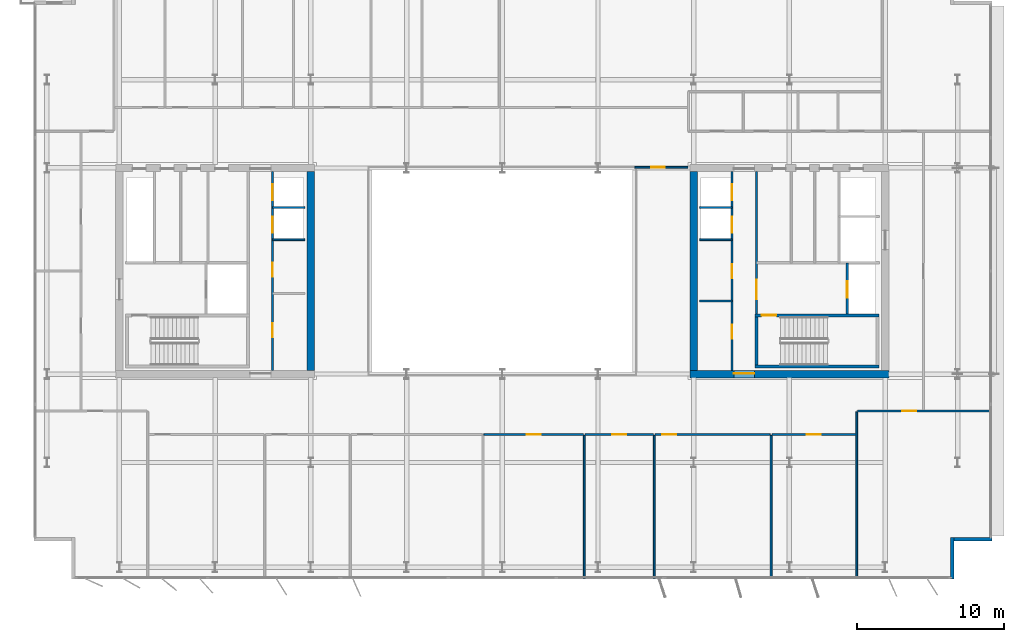
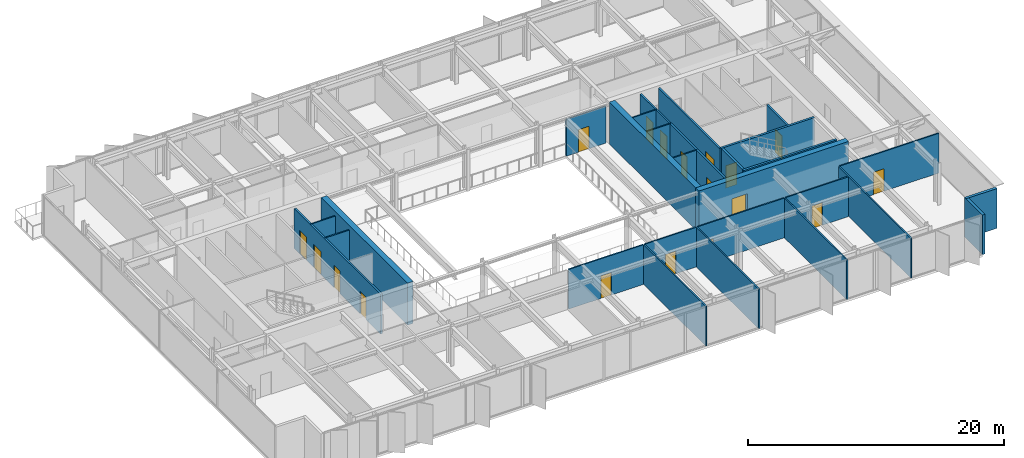
# One storey, part 14 of 21: 27 walls, 18 doors, 18 openings.
"""IFC4 building model written with IfcOpenShell, lengths in metres."""

from ifc_helpers import new_model, si_unit, direction, frame, frame_2d, origin, place, context, subcontext, project, spatial, rectangle, extrude, material, layer, layer_set, type_object, element, fill, save


model = new_model("IFC4")

# Units and contexts
model_context = context("Model", 3, precision=1e-05, world=origin(), true_north=direction((0.0, 1.0)))
body_context = subcontext(model_context, "Body", "Model", "MODEL_VIEW")
ifc_project = project(units=[si_unit("LENGTHUNIT", "METRE"), si_unit("AREAUNIT", "SQUARE_METRE"), si_unit("VOLUMEUNIT", "CUBIC_METRE"), si_unit("PLANEANGLEUNIT", "RADIAN"), si_unit("MASSUNIT", "GRAM", prefix="KILO")], contexts=[model_context])

# Site, building, storey
site_placement = place(None, origin())
site = spatial("IfcSite", under=ifc_project, at=site_placement, CompositionType="ELEMENT")
building_placement = place(site_placement, origin())
building = spatial("IfcBuilding", under=site, at=building_placement, Name="Putna Gate Headquarters", CompositionType="ELEMENT")
storey_placement = place(building_placement, frame((0.0, 0.0, 278.39990234375)))
storey = spatial("IfcBuildingStorey", under=building, at=storey_placement, Name="L70", CompositionType="ELEMENT", Elevation=278.39990234375)

# Wall
ifc_material_1 = material(Name="Concrete C50/60", Category="concrete")
ifc_layer_1 = layer(ifc_material_1, 0.5)
ifc_layer_set_1 = layer_set([ifc_layer_1], Name="Concrete C50/60")
wall_type_1 = type_object("IfcWallType", Name="WALL-CORE-500", PredefinedType="SHEAR", material=ifc_layer_set_1)
wall_1_placement = place(storey_placement, frame((26.0, 19.25, 0.0), z_axis=(0.0, 0.0, 1.0), x_axis=(0.0, 1.0, 0.0)))
element("IfcWall", 1, at=wall_1_placement, inside=storey, type_object=wall_type_1, Name="L70 WC Split Core Shear Wall E", PredefinedType="SHEAR", context=body_context, shape_type="SweptSolid", body=[
    extrude(rectangle(XDim=13.5, YDim=0.5, at=frame_2d((6.75, 0.0))), origin(), (0.0, 0.0, 1.0), 4.0),
])

# Wall, opening, door
wall_2_placement = place(storey_placement, frame((51.75, 19.0, 0.0), z_axis=(0.0, 0.0, 1.0), x_axis=(1.0, 0.0, 0.0)))
wall_2 = element("IfcWall", 2, at=wall_2_placement, inside=storey, type_object=wall_type_1, Name="L70 EC Split Core Shear Wall S", PredefinedType="SHEAR", context=body_context, shape_type="SweptSolid", body=[
    extrude(rectangle(XDim=13.5, YDim=0.5, at=frame_2d((6.75, 0.0))), origin(), (0.0, 0.0, 1.0), 4.0),
])
opening_1_placement = place(wall_2_placement, frame((2.969970703125, 0.0, 0.0)))
opening_1 = element("IfcOpeningElement", 3, at=opening_1_placement, cuts=wall_2, Name="Opening FDD-140", PredefinedType="OPENING", context=body_context, shape_type="SweptSolid", body=[
    extrude(rectangle(XDim=1.39990234375, YDim=2.199951171875, at=frame_2d((0.699951171875, 1.10009765625))), frame((0.0, 0.260009765625, 0.0), z_axis=(0.0, -1.0, 0.0), x_axis=(1.0, 0.0, 0.0)), (0.0, 0.0, 1.0), 0.52001953125),
])
ifc_material_2 = material(Name="Double steel fire door", Category="steel")
door_type_1 = type_object("IfcDoorType", Name="DOOR-FIRE-DBL-1400", OperationType="DOUBLE_DOOR_SINGLE_SWING", PredefinedType="DOOR", material=ifc_material_2)
door_1_placement = place(opening_1_placement, origin())
door_1 = element("IfcDoor", 4, at=door_1_placement, inside=storey, type_object=door_type_1, Name="L70 East Lift Lobby South Door", OperationType="DOUBLE_DOOR_SINGLE_SWING", OverallHeight=2.199951171875, OverallWidth=1.39990234375, PredefinedType="DOOR", context=body_context, shape_type="SweptSolid", body=[
    extrude(rectangle(XDim=1.39990234375, YDim=2.199951171875, at=frame_2d((0.699951171875, 1.10009765625))), frame((0.0, 0.0751953125, 0.0), z_axis=(0.0, -1.0, 0.0), x_axis=(1.0, 0.0, 0.0)), (0.0, 0.0, 1.0), 0.050048828125),
])
fill(opening_1, door_1)

# Walls
wall_3_placement = place(storey_placement, frame((52.0, 19.25, 0.0), z_axis=(0.0, 0.0, 1.0), x_axis=(0.0, 1.0, 0.0)))
element("IfcWall", 5, at=wall_3_placement, inside=storey, type_object=wall_type_1, Name="L70 EC Split Core Shear Wall W", PredefinedType="SHEAR", context=body_context, shape_type="SweptSolid", body=[
    extrude(rectangle(XDim=13.5, YDim=0.5, at=frame_2d((6.75, 0.0))), origin(), (0.0, 0.0, 1.0), 4.0),
])
ifc_material_3 = material(Name="Precast concrete C40/50", Category="concrete")
ifc_layer_2 = layer(ifc_material_3, 0.239990234375)
ifc_layer_set_2 = layer_set([ifc_layer_2], Name="Precast concrete C40/50")
wall_type_2 = type_object("IfcWallType", Name="WALL-EXT-TERR-240", PredefinedType="STANDARD", material=ifc_layer_set_2)
wall_4_placement = place(storey_placement, frame((69.571044921875, 7.89990234375, 0.0), z_axis=(0.0, 0.0, 1.0), x_axis=(0.0, -1.0, 0.0)))
element("IfcWall", 6, at=wall_4_placement, inside=storey, type_object=wall_type_2, Name="L70 Corner Notch Return Wall SE-V", PredefinedType="STANDARD", context=body_context, shape_type="SweptSolid", body=[
    extrude(rectangle(XDim=2.7998046875, YDim=0.239990234375, at=frame_2d((1.39990234375, 0.0))), origin(), (0.0, 0.0, 1.0), 3.7880859375),
])
wall_5_placement = place(storey_placement, frame((72.251220703125, 7.780029296875, 0.0), z_axis=(0.0, 0.0, 1.0), x_axis=(-1.0, 0.0, 0.0)))
element("IfcWall", 7, at=wall_5_placement, inside=storey, type_object=wall_type_2, Name="L70 Corner Notch Return Wall SE-H", PredefinedType="STANDARD", context=body_context, shape_type="SweptSolid", body=[
    extrude(rectangle(XDim=2.800048828125, YDim=0.239990234375, at=frame_2d((1.39990234375, 0.0))), origin(), (0.0, 0.0, 1.0), 3.7880859375),
])

# Wall, opening, door
ifc_material_4 = material(Name="Acoustic gypsum board on metal stud")
ifc_layer_3 = layer(ifc_material_4, 0.1201171875)
ifc_layer_set_3 = layer_set([ifc_layer_3], Name="Acoustic gypsum board on metal stud")
wall_type_3 = type_object("IfcWallType", Name="WALL-PART-120", PredefinedType="PARTITIONING", material=ifc_layer_set_3)
wall_6_placement = place(storey_placement, frame((48.0, 33.0400390625, 0.0), z_axis=(0.0, 0.0, 1.0), x_axis=(1.0, 0.0, 0.0)))
wall_6 = element("IfcWall", 8, at=wall_6_placement, inside=storey, type_object=wall_type_3, Name="L70 Interior Wall PART-L70-ATR-E-N", PredefinedType="PARTITIONING", context=body_context, shape_type="SweptSolid", body=[
    extrude(rectangle(XDim=3.60009765625, YDim=0.1201171875, at=frame_2d((1.800048828125, 0.0))), origin(), (0.0, 0.0, 1.0), 3.528076171875),
])
opening_2_placement = place(wall_6_placement, frame((1.10009765625, 0.0, 0.0)))
opening_2 = element("IfcOpeningElement", 9, at=opening_2_placement, cuts=wall_6, Name="Opening ID-95", PredefinedType="OPENING", context=body_context, shape_type="SweptSolid", body=[
    extrude(rectangle(XDim=0.949951171875, YDim=2.14990234375, at=frame_2d((0.47509765625, 1.074951171875))), frame((0.0, 0.070068359375, 0.0), z_axis=(0.0, -1.0, 0.0), x_axis=(1.0, 0.0, 0.0)), (0.0, 0.0, 1.0), 0.14013671875),
])
ifc_material_5 = material(Name="Veneered acoustic timber door", Category="wood")
door_type_2 = type_object("IfcDoorType", Name="DOOR-OFF-950", OperationType="NOTDEFINED", PredefinedType="DOOR", material=ifc_material_5)
door_2_placement = place(opening_2_placement, origin())
door_2 = element("IfcDoor", 10, at=door_2_placement, inside=storey, type_object=door_type_2, Name="L70 East Sky Atrium Lounge Door", OperationType="SINGLE_SWING_LEFT", OverallHeight=2.14990234375, OverallWidth=0.949951171875, PredefinedType="DOOR", context=body_context, shape_type="SweptSolid", body=[
    extrude(rectangle(XDim=0.949951171875, YDim=2.14990234375, at=frame_2d((0.47509765625, 1.074951171875))), frame((0.0, 0.02490234375, 0.0), z_axis=(0.0, -1.0, 0.0), x_axis=(1.0, 0.0, 0.0)), (0.0, 0.0, 1.0), 0.050048828125),
])
fill(opening_2, door_2)

# Walls
for number, where, z_axis, x_axis, name in (
    (11, (44.564453125, 5.1201171875, 0.0), (0.0, 0.0, 1.0), (0.0, 1.0, 0.0), "L70 Interior Wall PART-L70-SB-DIV-05"),
    (12, (49.312744140625, 5.1201171875, 0.0), (0.0, 0.0, 1.0), (0.0, 1.0, 0.0), "L70 Interior Wall PART-L70-SB-DIV-06"),
    (13, (57.2568359375, 5.1201171875, 0.0), (0.0, 0.0, 1.0), (0.0, 1.0, 0.0), "L70 Interior Wall PART-L70-SB-DIV-07"),
):
    element("IfcWall", number, at=place(storey_placement, frame(where, z_axis=z_axis, x_axis=x_axis)), inside=storey, type_object=wall_type_3, Name=name, PredefinedType="PARTITIONING", context=body_context, shape_type="SweptSolid", body=[
        extrude(rectangle(XDim=9.719970703125, YDim=0.1201171875, at=frame_2d((4.85986328125, 0.0))), origin(), (0.0, 0.0, 1.0), 3.7880859375),
    ])
wall_7_placement = place(storey_placement, frame((63.066162109375, 5.1201171875, 0.0), z_axis=(0.0, 0.0, 1.0), x_axis=(0.0, 1.0, 0.0)))
element("IfcWall", 14, at=wall_7_placement, inside=storey, type_object=wall_type_3, Name="L70 Interior Wall PART-L70-SB-DIV-08", PredefinedType="PARTITIONING", context=body_context, shape_type="SweptSolid", body=[
    extrude(rectangle(XDim=11.31982421875, YDim=0.1201171875, at=frame_2d((5.659912109375, 0.0))), origin(), (0.0, 0.0, 1.0), 3.7880859375),
])
ifc_material_6 = material(Name="Fire-rated shaftwall gypsum board on metal stud")
ifc_layer_4 = layer(ifc_material_6, 0.1201171875)
ifc_layer_set_4 = layer_set([ifc_layer_4], Name="Fire-rated shaftwall gypsum board on metal stud")
wall_type_4 = type_object("IfcWallType", Name="WALL-PART-120-EI120", PredefinedType="PARTITIONING", material=ifc_layer_set_4)
for number, where, z_axis, x_axis, name in (
    (15, (23.39990234375, 30.31005859375, 0.0), (0.0, 0.0, 1.0), (1.0, 0.0, 0.0), "L70 Interior Wall CWINT-L70-WC-LF09-DIV"),
    (16, (52.39990234375, 30.31005859375, 0.0), (0.0, 0.0, 1.0), (1.0, 0.0, 0.0), "L70 Interior Wall CWINT-L70-EC-LF11-DIV"),
):
    element("IfcWall", number, at=place(storey_placement, frame(where, z_axis=z_axis, x_axis=x_axis)), inside=storey, type_object=wall_type_4, Name=name, PredefinedType="PARTITIONING", context=body_context, shape_type="SweptSolid", body=[
        extrude(rectangle(XDim=2.2001953125, YDim=0.1201171875, at=frame_2d((1.10009765625, 0.0))), origin(), (0.0, 0.0, 1.0), 3.7880859375),
    ])
ifc_material_7 = material(Name="Fire-rated gypsum board on metal stud")
ifc_layer_5 = layer(ifc_material_7, 0.1201171875)
ifc_layer_set_5 = layer_set([ifc_layer_5], Name="Fire-rated gypsum board on metal stud")
wall_type_5 = type_object("IfcWallType", Name="WALL-PART-120-RATED", PredefinedType="PARTITIONING", material=ifc_layer_set_5)
for number, where, z_axis, x_axis, name in (
    (17, (23.39990234375, 28.1201171875, 0.0), (0.0, 0.0, 1.0), (1.0, 0.0, 0.0), "L70 Interior Wall CWINT-L70-WC-LF06-DIV"),
    (18, (52.39990234375, 23.969970703125, 0.0), (0.0, 0.0, 1.0), (1.0, 0.0, 0.0), "L70 Interior Wall CWINT-L70-EC-REUSE-DIV"),
    (19, (52.39990234375, 28.1201171875, 0.0), (0.0, 0.0, 1.0), (1.0, 0.0, 0.0), "L70 Interior Wall CWINT-L70-EC-LF08-DIV"),
):
    element("IfcWall", number, at=place(storey_placement, frame(where, z_axis=z_axis, x_axis=x_axis)), inside=storey, type_object=wall_type_5, Name=name, PredefinedType="PARTITIONING", context=body_context, shape_type="SweptSolid", body=[
        extrude(rectangle(XDim=2.2001953125, YDim=0.1201171875, at=frame_2d((1.10009765625, 0.0))), origin(), (0.0, 0.0, 1.0), 3.7880859375),
    ])

# Wall, opening, door
wall_8_placement = place(storey_placement, frame((37.747802734375, 14.89990234375, 0.0), z_axis=(0.0, 0.0, 1.0), x_axis=(1.0, 0.0, 0.0)))
wall_8 = element("IfcWall", 20, at=wall_8_placement, inside=storey, type_object=wall_type_5, Name="L70 Interior Wall PART-L70-SB-CW-05", PredefinedType="PARTITIONING", context=body_context, shape_type="SweptSolid", body=[
    extrude(rectangle(XDim=6.756591796875, YDim=0.1201171875, at=frame_2d((3.37841796875, 0.0))), origin(), (0.0, 0.0, 1.0), 3.7880859375),
])
opening_3_placement = place(wall_8_placement, frame((2.9033203125, 0.0, 0.0)))
opening_3 = element("IfcOpeningElement", 21, at=opening_3_placement, cuts=wall_8, Name="Opening FD-95", PredefinedType="OPENING", context=body_context, shape_type="SweptSolid", body=[
    extrude(rectangle(XDim=0.949951171875, YDim=2.14990234375, at=frame_2d((0.47509765625, 1.074951171875))), frame((0.0, 0.070068359375, 0.0), z_axis=(0.0, -1.0, 0.0), x_axis=(1.0, 0.0, 0.0)), (0.0, 0.0, 1.0), 0.14013671875),
])
ifc_material_8 = material(Name="Acoustic timber fire door", Category="wood")
door_type_3 = type_object("IfcDoorType", Name="DOOR-FIRE-950", OperationType="NOTDEFINED", PredefinedType="DOOR", material=ifc_material_8)
door_3_placement = place(opening_3_placement, origin())
door_3 = element("IfcDoor", 22, at=door_3_placement, inside=storey, type_object=door_type_3, Name="L70 Conference Meeting Room 5 Door", OperationType="SINGLE_SWING_LEFT", OverallHeight=2.14990234375, OverallWidth=0.949951171875, PredefinedType="DOOR", context=body_context, shape_type="SweptSolid", body=[
    extrude(rectangle(XDim=0.949951171875, YDim=2.14990234375, at=frame_2d((0.47509765625, 1.074951171875))), frame((0.0, 0.02490234375, 0.0), z_axis=(0.0, -1.0, 0.0), x_axis=(1.0, 0.0, 0.0)), (0.0, 0.0, 1.0), 0.050048828125),
])
fill(opening_3, door_3)

wall_9_placement = place(storey_placement, frame((44.62451171875, 14.89990234375, 0.0), z_axis=(0.0, 0.0, 1.0), x_axis=(1.0, 0.0, 0.0)))
wall_9 = element("IfcWall", 23, at=wall_9_placement, inside=storey, type_object=wall_type_5, Name="L70 Interior Wall PART-L70-SB-CW-06", PredefinedType="PARTITIONING", context=body_context, shape_type="SweptSolid", body=[
    extrude(rectangle(XDim=4.628173828125, YDim=0.1201171875, at=frame_2d((2.31396484375, 0.0))), origin(), (0.0, 0.0, 1.0), 3.7880859375),
])
opening_4_placement = place(wall_9_placement, frame((1.839111328125, 0.0, 0.0)))
opening_4 = element("IfcOpeningElement", 24, at=opening_4_placement, cuts=wall_9, Name="Opening FD-95", PredefinedType="OPENING", context=body_context, shape_type="SweptSolid", body=[
    extrude(rectangle(XDim=0.949951171875, YDim=2.14990234375, at=frame_2d((0.47509765625, 1.074951171875))), frame((0.0, 0.070068359375, 0.0), z_axis=(0.0, -1.0, 0.0), x_axis=(1.0, 0.0, 0.0)), (0.0, 0.0, 1.0), 0.14013671875),
])
door_4_placement = place(opening_4_placement, origin())
door_4 = element("IfcDoor", 25, at=door_4_placement, inside=storey, type_object=door_type_3, Name="L70 Conference Meeting Room 6 Door", OperationType="SINGLE_SWING_RIGHT", OverallHeight=2.14990234375, OverallWidth=0.949951171875, PredefinedType="DOOR", context=body_context, shape_type="SweptSolid", body=[
    extrude(rectangle(XDim=0.949951171875, YDim=2.14990234375, at=frame_2d((0.47509765625, 1.074951171875))), frame((0.0, 0.02490234375, 0.0), z_axis=(0.0, -1.0, 0.0), x_axis=(1.0, 0.0, 0.0)), (0.0, 0.0, 1.0), 0.050048828125),
])
fill(opening_4, door_4)

wall_10_placement = place(storey_placement, frame((49.372802734375, 14.89990234375, 0.0), z_axis=(0.0, 0.0, 1.0), x_axis=(1.0, 0.0, 0.0)))
wall_10 = element("IfcWall", 26, at=wall_10_placement, inside=storey, type_object=wall_type_5, Name="L70 Interior Wall PART-L70-SB-CW-07", PredefinedType="PARTITIONING", context=body_context, shape_type="SweptSolid", body=[
    extrude(rectangle(XDim=7.823974609375, YDim=0.1201171875, at=frame_2d((3.912109375, 0.0))), origin(), (0.0, 0.0, 1.0), 3.7880859375),
])
opening_5_placement = place(wall_10_placement, frame((0.47998046875, 0.0, 0.0)))
opening_5 = element("IfcOpeningElement", 27, at=opening_5_placement, cuts=wall_10, Name="Opening FD-95", PredefinedType="OPENING", context=body_context, shape_type="SweptSolid", body=[
    extrude(rectangle(XDim=0.949951171875, YDim=2.14990234375, at=frame_2d((0.47509765625, 1.074951171875))), frame((0.0, 0.070068359375, 0.0), z_axis=(0.0, -1.0, 0.0), x_axis=(1.0, 0.0, 0.0)), (0.0, 0.0, 1.0), 0.14013671875),
])
door_5_placement = place(opening_5_placement, origin())
door_5 = element("IfcDoor", 28, at=door_5_placement, inside=storey, type_object=door_type_3, Name="L70 Collaborative Breakout Lounge 1 Door", OperationType="SINGLE_SWING_LEFT", OverallHeight=2.14990234375, OverallWidth=0.949951171875, PredefinedType="DOOR", context=body_context, shape_type="SweptSolid", body=[
    extrude(rectangle(XDim=0.949951171875, YDim=2.14990234375, at=frame_2d((0.47509765625, 1.074951171875))), frame((0.0, 0.02490234375, 0.0), z_axis=(0.0, -1.0, 0.0), x_axis=(1.0, 0.0, 0.0)), (0.0, 0.0, 1.0), 0.050048828125),
])
fill(opening_5, door_5)

wall_11_placement = place(storey_placement, frame((57.31689453125, 14.89990234375, 0.0), z_axis=(0.0, 0.0, 1.0), x_axis=(1.0, 0.0, 0.0)))
wall_11 = element("IfcWall", 29, at=wall_11_placement, inside=storey, type_object=wall_type_5, Name="L70 Interior Wall PART-L70-SB-CW-08", PredefinedType="PARTITIONING", context=body_context, shape_type="SweptSolid", body=[
    extrude(rectangle(XDim=5.689208984375, YDim=0.1201171875, at=frame_2d((2.8447265625, 0.0))), origin(), (0.0, 0.0, 1.0), 3.7880859375),
])
opening_6_placement = place(wall_11_placement, frame((2.36962890625, 0.0, 0.0)))
opening_6 = element("IfcOpeningElement", 30, at=opening_6_placement, cuts=wall_11, Name="Opening FD-95", PredefinedType="OPENING", context=body_context, shape_type="SweptSolid", body=[
    extrude(rectangle(XDim=0.949951171875, YDim=2.14990234375, at=frame_2d((0.47509765625, 1.074951171875))), frame((0.0, 0.070068359375, 0.0), z_axis=(0.0, -1.0, 0.0), x_axis=(1.0, 0.0, 0.0)), (0.0, 0.0, 1.0), 0.14013671875),
])
door_6_placement = place(opening_6_placement, origin())
door_6 = element("IfcDoor", 31, at=door_6_placement, inside=storey, type_object=door_type_3, Name="L70 Collaborative Breakout Lounge 2 Door", OperationType="SINGLE_SWING_RIGHT", OverallHeight=2.14990234375, OverallWidth=0.949951171875, PredefinedType="DOOR", context=body_context, shape_type="SweptSolid", body=[
    extrude(rectangle(XDim=0.949951171875, YDim=2.14990234375, at=frame_2d((0.47509765625, 1.074951171875))), frame((0.0, 0.02490234375, 0.0), z_axis=(0.0, -1.0, 0.0), x_axis=(1.0, 0.0, 0.0)), (0.0, 0.0, 1.0), 0.050048828125),
])
fill(opening_6, door_6)

wall_12_placement = place(storey_placement, frame((63.126220703125, 16.5, 0.0), z_axis=(0.0, 0.0, 1.0), x_axis=(1.0, 0.0, 0.0)))
wall_12 = element("IfcWall", 32, at=wall_12_placement, inside=storey, type_object=wall_type_5, Name="L70 Interior Wall PART-L70-SB-CW-09", PredefinedType="PARTITIONING", context=body_context, shape_type="SweptSolid", body=[
    extrude(rectangle(XDim=8.94482421875, YDim=0.1201171875, at=frame_2d((4.472412109375, 0.0))), origin(), (0.0, 0.0, 1.0), 3.7880859375),
])
opening_7_placement = place(wall_12_placement, frame((3.0439453125, 0.0, 0.0)))
opening_7 = element("IfcOpeningElement", 33, at=opening_7_placement, cuts=wall_12, Name="Opening FD-95", PredefinedType="OPENING", context=body_context, shape_type="SweptSolid", body=[
    extrude(rectangle(XDim=0.949951171875, YDim=2.14990234375, at=frame_2d((0.47509765625, 1.074951171875))), frame((0.0, 0.070068359375, 0.0), z_axis=(0.0, -1.0, 0.0), x_axis=(1.0, 0.0, 0.0)), (0.0, 0.0, 1.0), 0.14013671875),
])
door_7_placement = place(opening_7_placement, origin())
door_7 = element("IfcDoor", 34, at=door_7_placement, inside=storey, type_object=door_type_3, Name="L70 Cellular Office 2 Door", OperationType="SINGLE_SWING_LEFT", OverallHeight=2.14990234375, OverallWidth=0.949951171875, PredefinedType="DOOR", context=body_context, shape_type="SweptSolid", body=[
    extrude(rectangle(XDim=0.949951171875, YDim=2.14990234375, at=frame_2d((0.47509765625, 1.074951171875))), frame((0.0, 0.02490234375, 0.0), z_axis=(0.0, -1.0, 0.0), x_axis=(1.0, 0.0, 0.0)), (0.0, 0.0, 1.0), 0.050048828125),
])
fill(opening_7, door_7)

# Wall, openings, doors
ifc_material_9 = material(Name="Concrete C40/50", Category="concrete")
ifc_layer_6 = layer(ifc_material_9, 0.159912109375)
ifc_layer_set_6 = layer_set([ifc_layer_6], Name="Concrete C40/50")
wall_type_6 = type_object("IfcWallType", Name="WALL-SHAFT-160", PredefinedType="STANDARD", material=ifc_layer_set_6)
wall_13_placement = place(storey_placement, frame((23.39990234375, 19.25, 0.0), z_axis=(0.0, 0.0, 1.0), x_axis=(0.0, 1.0, 0.0)))
wall_13 = element("IfcWall", 35, at=wall_13_placement, inside=storey, type_object=wall_type_6, Name="L70 Interior Wall CWINT-L70-WC-PL-WALL", PredefinedType="STANDARD", context=body_context, shape_type="SweptSolid", body=[
    extrude(rectangle(XDim=13.5, YDim=0.159912109375, at=frame_2d((6.75, 0.0))), origin(), (0.0, 0.0, 1.0), 3.7880859375),
])
opening_8_placement = place(wall_13_placement, frame((2.25, 0.0, 0.0)))
opening_8 = element("IfcOpeningElement", 36, at=opening_8_placement, cuts=wall_13, Name="Opening IDS-95", PredefinedType="OPENING", context=body_context, shape_type="SweptSolid", body=[
    extrude(rectangle(XDim=0.949951171875, YDim=2.14990234375, at=frame_2d((0.47509765625, 1.074951171875))), frame((0.0, 0.08984375, 0.0), z_axis=(0.0, -1.0, 0.0), x_axis=(1.0, 0.0, 0.0)), (0.0, 0.0, 1.0), 0.179931640625),
])
opening_9_placement = place(wall_13_placement, frame((6.35009765625, 0.0, 0.0)))
opening_9 = element("IfcOpeningElement", 37, at=opening_9_placement, cuts=wall_13, Name="Opening IDS-95", PredefinedType="OPENING", context=body_context, shape_type="SweptSolid", body=[
    extrude(rectangle(XDim=0.949951171875, YDim=2.14990234375, at=frame_2d((0.47509765625, 1.074951171875))), frame((0.0, 0.08984375, 0.0), z_axis=(0.0, -1.0, 0.0), x_axis=(1.0, 0.0, 0.0)), (0.0, 0.0, 1.0), 0.179931640625),
])
opening_10_placement = place(wall_13_placement, frame((9.35009765625, 0.0, 0.0)))
opening_10 = element("IfcOpeningElement", 38, at=opening_10_placement, cuts=wall_13, Name="Opening LD-1", PredefinedType="OPENING", context=body_context, shape_type="SweptSolid", body=[
    extrude(rectangle(XDim=1.10009765625, YDim=2.199951171875, at=frame_2d((0.550048828125, 1.10009765625))), frame((0.0, 0.08984375, 0.0), z_axis=(0.0, -1.0, 0.0), x_axis=(1.0, 0.0, 0.0)), (0.0, 0.0, 1.0), 0.179931640625),
])
opening_11_placement = place(wall_13_placement, frame((11.550048828125, 0.0, 0.0)))
opening_11 = element("IfcOpeningElement", 39, at=opening_11_placement, cuts=wall_13, Name="Opening LD-1", PredefinedType="OPENING", context=body_context, shape_type="SweptSolid", body=[
    extrude(rectangle(XDim=1.10009765625, YDim=2.199951171875, at=frame_2d((0.550048828125, 1.10009765625))), frame((0.0, 0.08984375, 0.0), z_axis=(0.0, -1.0, 0.0), x_axis=(1.0, 0.0, 0.0)), (0.0, 0.0, 1.0), 0.179931640625),
])
ifc_material_10 = material(Name="Fire-rated service timber door", Category="wood")
door_type_4 = type_object("IfcDoorType", Name="DOOR-INT-950", OperationType="NOTDEFINED", PredefinedType="DOOR", material=ifc_material_10)
door_8_placement = place(opening_8_placement, origin())
door_8 = element("IfcDoor", 40, at=door_8_placement, inside=storey, type_object=door_type_4, Name="L70 Tenant IT Hub Door", OperationType="SINGLE_SWING_LEFT", OverallHeight=2.14990234375, OverallWidth=0.949951171875, PredefinedType="DOOR", context=body_context, shape_type="SweptSolid", body=[
    extrude(rectangle(XDim=0.949951171875, YDim=2.14990234375, at=frame_2d((0.47509765625, 1.074951171875))), frame((0.0, 0.02490234375, 0.0), z_axis=(0.0, -1.0, 0.0), x_axis=(1.0, 0.0, 0.0)), (0.0, 0.0, 1.0), 0.050048828125),
])
fill(opening_8, door_8)
door_9_placement = place(opening_9_placement, origin())
door_9 = element("IfcDoor", 41, at=door_9_placement, inside=storey, type_object=door_type_4, Name="L70 Records Vault Door", OperationType="SINGLE_SWING_RIGHT", OverallHeight=2.14990234375, OverallWidth=0.949951171875, PredefinedType="DOOR", context=body_context, shape_type="SweptSolid", body=[
    extrude(rectangle(XDim=0.949951171875, YDim=2.14990234375, at=frame_2d((0.47509765625, 1.074951171875))), frame((0.0, 0.02490234375, 0.0), z_axis=(0.0, -1.0, 0.0), x_axis=(1.0, 0.0, 0.0)), (0.0, 0.0, 1.0), 0.050048828125),
])
fill(opening_9, door_9)
ifc_material_11 = material(Name="Brushed bronze stainless lift landing door")
door_type_5 = type_object("IfcDoorType", Name="DOOR-LIFT-1100", OperationType="DOUBLE_DOOR_SLIDING", PredefinedType="DOOR", material=ifc_material_11)
door_10_placement = place(opening_10_placement, origin())
door_10 = element("IfcDoor", 42, at=door_10_placement, inside=storey, type_object=door_type_5, Name="L70 Lift Landing Door LD-09", OperationType="DOUBLE_DOOR_SLIDING", OverallHeight=2.199951171875, OverallWidth=1.10009765625, PredefinedType="DOOR", context=body_context, shape_type="SweptSolid", body=[
    extrude(rectangle(XDim=1.10009765625, YDim=2.199951171875, at=frame_2d((0.550048828125, 1.10009765625))), frame((0.0, 0.02490234375, 0.0), z_axis=(0.0, -1.0, 0.0), x_axis=(1.0, 0.0, 0.0)), (0.0, 0.0, 1.0), 0.050048828125),
])
fill(opening_10, door_10)
door_11_placement = place(opening_11_placement, origin())
door_11 = element("IfcDoor", 43, at=door_11_placement, inside=storey, type_object=door_type_5, Name="L70 Lift Landing Door LD-10", OperationType="DOUBLE_DOOR_SLIDING", OverallHeight=2.199951171875, OverallWidth=1.10009765625, PredefinedType="DOOR", context=body_context, shape_type="SweptSolid", body=[
    extrude(rectangle(XDim=1.10009765625, YDim=2.199951171875, at=frame_2d((0.550048828125, 1.10009765625))), frame((0.0, 0.02490234375, 0.0), z_axis=(0.0, -1.0, 0.0), x_axis=(1.0, 0.0, 0.0)), (0.0, 0.0, 1.0), 0.050048828125),
])
fill(opening_11, door_11)

wall_14_placement = place(storey_placement, frame((54.60009765625, 19.25, 0.0), z_axis=(0.0, 0.0, 1.0), x_axis=(0.0, 1.0, 0.0)))
wall_14 = element("IfcWall", 44, at=wall_14_placement, inside=storey, type_object=wall_type_6, Name="L70 Interior Wall CWINT-L70-EC-PL-WALL", PredefinedType="STANDARD", context=body_context, shape_type="SweptSolid", body=[
    extrude(rectangle(XDim=13.5, YDim=0.159912109375, at=frame_2d((6.75, 0.0))), origin(), (0.0, 0.0, 1.0), 3.7880859375),
])
opening_12_placement = place(wall_14_placement, frame((2.14990234375, 0.0, 0.0)))
opening_12 = element("IfcOpeningElement", 45, at=opening_12_placement, cuts=wall_14, Name="Opening IDS-95", PredefinedType="OPENING", context=body_context, shape_type="SweptSolid", body=[
    extrude(rectangle(XDim=0.949951171875, YDim=2.14990234375, at=frame_2d((0.47509765625, 1.074951171875))), frame((0.0, 0.08984375, 0.0), z_axis=(0.0, -1.0, 0.0), x_axis=(1.0, 0.0, 0.0)), (0.0, 0.0, 1.0), 0.179931640625),
])
opening_13_placement = place(wall_14_placement, frame((6.25, 0.0, 0.0)))
opening_13 = element("IfcOpeningElement", 46, at=opening_13_placement, cuts=wall_14, Name="Opening IDS-95", PredefinedType="OPENING", context=body_context, shape_type="SweptSolid", body=[
    extrude(rectangle(XDim=0.949951171875, YDim=2.14990234375, at=frame_2d((0.47509765625, 1.074951171875))), frame((0.0, 0.08984375, 0.0), z_axis=(0.0, -1.0, 0.0), x_axis=(1.0, 0.0, 0.0)), (0.0, 0.0, 1.0), 0.179931640625),
])
opening_14_placement = place(wall_14_placement, frame((9.35009765625, 0.0, 0.0)))
opening_14 = element("IfcOpeningElement", 47, at=opening_14_placement, cuts=wall_14, Name="Opening LD-1", PredefinedType="OPENING", context=body_context, shape_type="SweptSolid", body=[
    extrude(rectangle(XDim=1.10009765625, YDim=2.199951171875, at=frame_2d((0.550048828125, 1.10009765625))), frame((0.0, 0.08984375, 0.0), z_axis=(0.0, -1.0, 0.0), x_axis=(1.0, 0.0, 0.0)), (0.0, 0.0, 1.0), 0.179931640625),
])
opening_15_placement = place(wall_14_placement, frame((11.550048828125, 0.0, 0.0)))
opening_15 = element("IfcOpeningElement", 48, at=opening_15_placement, cuts=wall_14, Name="Opening LD-1", PredefinedType="OPENING", context=body_context, shape_type="SweptSolid", body=[
    extrude(rectangle(XDim=1.10009765625, YDim=2.199951171875, at=frame_2d((0.550048828125, 1.10009765625))), frame((0.0, 0.08984375, 0.0), z_axis=(0.0, -1.0, 0.0), x_axis=(1.0, 0.0, 0.0)), (0.0, 0.0, 1.0), 0.179931640625),
])
door_12_placement = place(opening_12_placement, origin())
door_12 = element("IfcDoor", 49, at=door_12_placement, inside=storey, type_object=door_type_4, Name="L70 Executive Archive Door", OperationType="SINGLE_SWING_RIGHT", OverallHeight=2.14990234375, OverallWidth=0.949951171875, PredefinedType="DOOR", context=body_context, shape_type="SweptSolid", body=[
    extrude(rectangle(XDim=0.949951171875, YDim=2.14990234375, at=frame_2d((0.47509765625, 1.074951171875))), frame((0.0, 0.02490234375, 0.0), z_axis=(0.0, -1.0, 0.0), x_axis=(1.0, 0.0, 0.0)), (0.0, 0.0, 1.0), 0.050048828125),
])
fill(opening_12, door_12)
door_13_placement = place(opening_13_placement, origin())
door_13 = element("IfcDoor", 50, at=door_13_placement, inside=storey, type_object=door_type_4, Name="L70 Comms Distribution Door", OperationType="SINGLE_SWING_LEFT", OverallHeight=2.14990234375, OverallWidth=0.949951171875, PredefinedType="DOOR", context=body_context, shape_type="SweptSolid", body=[
    extrude(rectangle(XDim=0.949951171875, YDim=2.14990234375, at=frame_2d((0.47509765625, 1.074951171875))), frame((0.0, 0.02490234375, 0.0), z_axis=(0.0, -1.0, 0.0), x_axis=(1.0, 0.0, 0.0)), (0.0, 0.0, 1.0), 0.050048828125),
])
fill(opening_13, door_13)
door_14_placement = place(opening_14_placement, origin())
door_14 = element("IfcDoor", 51, at=door_14_placement, inside=storey, type_object=door_type_5, Name="L70 Lift Landing Door LD-11", OperationType="DOUBLE_DOOR_SLIDING", OverallHeight=2.199951171875, OverallWidth=1.10009765625, PredefinedType="DOOR", context=body_context, shape_type="SweptSolid", body=[
    extrude(rectangle(XDim=1.10009765625, YDim=2.199951171875, at=frame_2d((0.550048828125, 1.10009765625))), frame((0.0, 0.02490234375, 0.0), z_axis=(0.0, -1.0, 0.0), x_axis=(1.0, 0.0, 0.0)), (0.0, 0.0, 1.0), 0.050048828125),
])
fill(opening_14, door_14)
door_15_placement = place(opening_15_placement, origin())
door_15 = element("IfcDoor", 52, at=door_15_placement, inside=storey, type_object=door_type_5, Name="L70 Lift Landing Door LD-12", OperationType="DOUBLE_DOOR_SLIDING", OverallHeight=2.199951171875, OverallWidth=1.10009765625, PredefinedType="DOOR", context=body_context, shape_type="SweptSolid", body=[
    extrude(rectangle(XDim=1.10009765625, YDim=2.199951171875, at=frame_2d((0.550048828125, 1.10009765625))), frame((0.0, 0.02490234375, 0.0), z_axis=(0.0, -1.0, 0.0), x_axis=(1.0, 0.0, 0.0)), (0.0, 0.0, 1.0), 0.050048828125),
])
fill(opening_15, door_15)

# Wall, opening, door
wall_15_placement = place(storey_placement, frame((56.260009765625, 23.090087890625, 0.0), z_axis=(0.0, 0.0, 1.0), x_axis=(0.0, 1.0, 0.0)))
wall_15 = element("IfcWall", 53, at=wall_15_placement, inside=storey, type_object=wall_type_6, Name="L70 Interior Wall CWINT-L70-EC-LOB-E", PredefinedType="STANDARD", context=body_context, shape_type="SweptSolid", body=[
    extrude(rectangle(XDim=9.659912109375, YDim=0.159912109375, at=frame_2d((4.830078125, 0.0))), origin(), (0.0, 0.0, 1.0), 3.7880859375),
])
opening_16_placement = place(wall_15_placement, frame((1.010009765625, 0.0, 0.0)))
opening_16 = element("IfcOpeningElement", 54, at=opening_16_placement, cuts=wall_15, Name="Opening FDD-130", PredefinedType="OPENING", context=body_context, shape_type="SweptSolid", body=[
    extrude(rectangle(XDim=1.300048828125, YDim=2.199951171875, at=frame_2d((0.64990234375, 1.10009765625))), frame((0.0, 0.08984375, 0.0), z_axis=(0.0, -1.0, 0.0), x_axis=(1.0, 0.0, 0.0)), (0.0, 0.0, 1.0), 0.179931640625),
])
ifc_material_12 = material(Name="Double steel lobby fire door", Category="steel")
door_type_6 = type_object("IfcDoorType", Name="DOOR-FIRE-DBL-1300", OperationType="DOUBLE_DOOR_SINGLE_SWING", PredefinedType="DOOR", material=ifc_material_12)
door_16_placement = place(opening_16_placement, origin())
door_16 = element("IfcDoor", 55, at=door_16_placement, inside=storey, type_object=door_type_6, Name="L70 East Firefighting Lobby Door", OperationType="DOUBLE_DOOR_SINGLE_SWING", OverallHeight=2.199951171875, OverallWidth=1.300048828125, PredefinedType="DOOR", context=body_context, shape_type="SweptSolid", body=[
    extrude(rectangle(XDim=1.300048828125, YDim=2.199951171875, at=frame_2d((0.64990234375, 1.10009765625))), frame((0.0, 0.02490234375, 0.0), z_axis=(0.0, -1.0, 0.0), x_axis=(1.0, 0.0, 0.0)), (0.0, 0.0, 1.0), 0.050048828125),
])
fill(opening_16, door_16)

wall_16_placement = place(storey_placement, frame((62.429931640625, 23.090087890625, 0.0), z_axis=(0.0, 0.0, 1.0), x_axis=(0.0, 1.0, 0.0)))
wall_16 = element("IfcWall", 56, at=wall_16_placement, inside=storey, type_object=wall_type_6, Name="L70 Interior Wall CWINT-L70-EC-LF14-W", PredefinedType="STANDARD", context=body_context, shape_type="SweptSolid", body=[
    extrude(rectangle(XDim=3.469970703125, YDim=0.159912109375, at=frame_2d((1.73486328125, 0.0))), origin(), (0.0, 0.0, 1.0), 3.7880859375),
])
opening_17_placement = place(wall_16_placement, frame((1.10009765625, 0.0, 0.0)))
opening_17 = element("IfcOpeningElement", 57, at=opening_17_placement, cuts=wall_16, Name="Opening LD-1", PredefinedType="OPENING", context=body_context, shape_type="SweptSolid", body=[
    extrude(rectangle(XDim=1.10009765625, YDim=2.199951171875, at=frame_2d((0.550048828125, 1.10009765625))), frame((0.0, 0.08984375, 0.0), z_axis=(0.0, -1.0, 0.0), x_axis=(1.0, 0.0, 0.0)), (0.0, 0.0, 1.0), 0.179931640625),
])
door_17_placement = place(opening_17_placement, origin())
door_17 = element("IfcDoor", 58, at=door_17_placement, inside=storey, type_object=door_type_5, Name="L70 Lift Landing Door LD-14", OperationType="DOUBLE_DOOR_SLIDING", OverallHeight=2.199951171875, OverallWidth=1.10009765625, PredefinedType="DOOR", context=body_context, shape_type="SweptSolid", body=[
    extrude(rectangle(XDim=1.10009765625, YDim=2.199951171875, at=frame_2d((0.550048828125, 1.10009765625))), frame((0.0, 0.02490234375, 0.0), z_axis=(0.0, -1.0, 0.0), x_axis=(1.0, 0.0, 0.0)), (0.0, 0.0, 1.0), 0.050048828125),
])
fill(opening_17, door_17)

# Wall
ifc_layer_7 = layer(ifc_material_9, 0.199951171875)
ifc_layer_set_7 = layer_set([ifc_layer_7], Name="Concrete C40/50")
wall_type_7 = type_object("IfcWallType", Name="WALL-SHAFT-RC200", PredefinedType="SHEAR", material=ifc_layer_set_7)
wall_17_placement = place(storey_placement, frame((56.159912109375, 19.510009765625, 0.0), z_axis=(0.0, 0.0, 1.0), x_axis=(1.0, 0.0, 0.0)))
element("IfcWall", 59, at=wall_17_placement, inside=storey, type_object=wall_type_7, Name="L70 Stair ST2 Structural Shaft Wall S", PredefinedType="SHEAR", context=body_context, shape_type="SweptSolid", body=[
    extrude(rectangle(XDim=8.43017578125, YDim=0.199951171875, at=frame_2d((4.215087890625, 0.0))), origin(), (0.0, 0.0, 1.0), 4.0),
])

# Wall, opening, door
wall_18_placement = place(storey_placement, frame((56.159912109375, 22.989990234375, 0.0), z_axis=(0.0, 0.0, 1.0), x_axis=(1.0, 0.0, 0.0)))
wall_18 = element("IfcWall", 60, at=wall_18_placement, inside=storey, type_object=wall_type_7, Name="L70 Stair ST2 Structural Shaft Wall N", PredefinedType="SHEAR", context=body_context, shape_type="SweptSolid", body=[
    extrude(rectangle(XDim=8.43017578125, YDim=0.199951171875, at=frame_2d((4.215087890625, 0.0))), origin(), (0.0, 0.0, 1.0), 4.0),
])
opening_18_placement = place(wall_18_placement, frame((0.449951171875, 0.0, 0.0)))
opening_18 = element("IfcOpeningElement", 61, at=opening_18_placement, cuts=wall_18, Name="Opening FD-100", PredefinedType="OPENING", context=body_context, shape_type="SweptSolid", body=[
    extrude(rectangle(XDim=1.0, YDim=2.14990234375, at=frame_2d((0.5, 1.074951171875))), frame((0.0, 0.10986328125, 0.0), z_axis=(0.0, -1.0, 0.0), x_axis=(1.0, 0.0, 0.0)), (0.0, 0.0, 1.0), 0.219970703125),
])
ifc_material_13 = material(Name="Powder-coated steel fire door", Category="steel")
door_type_7 = type_object("IfcDoorType", Name="DOOR-FIRE-1000", OperationType="NOTDEFINED", PredefinedType="DOOR", material=ifc_material_13)
door_18_placement = place(opening_18_placement, origin())
door_18 = element("IfcDoor", 62, at=door_18_placement, inside=storey, type_object=door_type_7, Name="L70 Stair ST2 Fire Door", OperationType="SINGLE_SWING_RIGHT", OverallHeight=2.14990234375, OverallWidth=1.0, PredefinedType="DOOR", context=body_context, shape_type="SweptSolid", body=[
    extrude(rectangle(XDim=1.0, YDim=2.14990234375, at=frame_2d((0.5, 1.074951171875))), frame((0.0, 0.02490234375, 0.0), z_axis=(0.0, -1.0, 0.0), x_axis=(1.0, 0.0, 0.0)), (0.0, 0.0, 1.0), 0.050048828125),
])
fill(opening_18, door_18)

# Wall
wall_19_placement = place(storey_placement, frame((56.260009765625, 19.610107421875, 0.0), z_axis=(0.0, 0.0, 1.0), x_axis=(0.0, 1.0, 0.0)))
element("IfcWall", 63, at=wall_19_placement, inside=storey, type_object=wall_type_7, Name="L70 Stair ST2 Structural Shaft Wall W", PredefinedType="SHEAR", context=body_context, shape_type="SweptSolid", body=[
    extrude(rectangle(XDim=3.27978515625, YDim=0.199951171875, at=frame_2d((1.639892578125, 0.0))), origin(), (0.0, 0.0, 1.0), 4.0),
])

save(model, "model.ifc")
